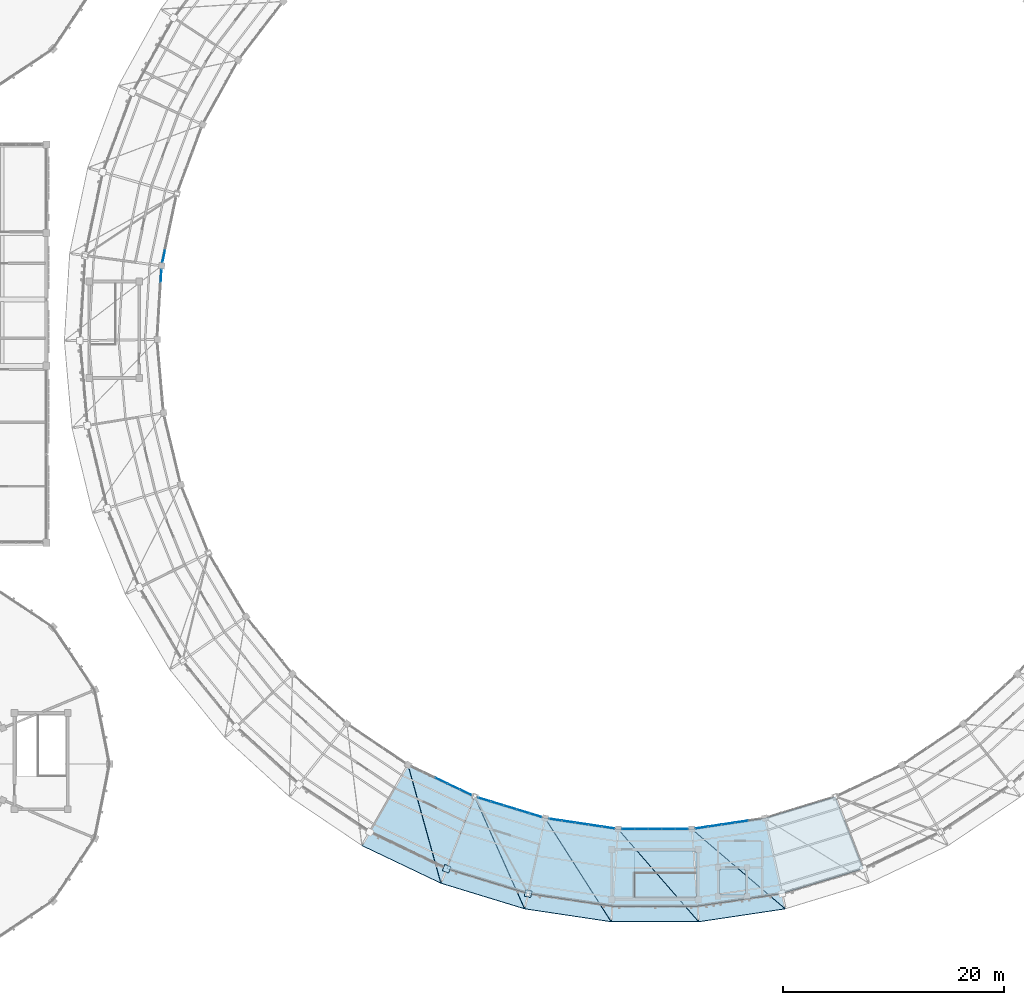
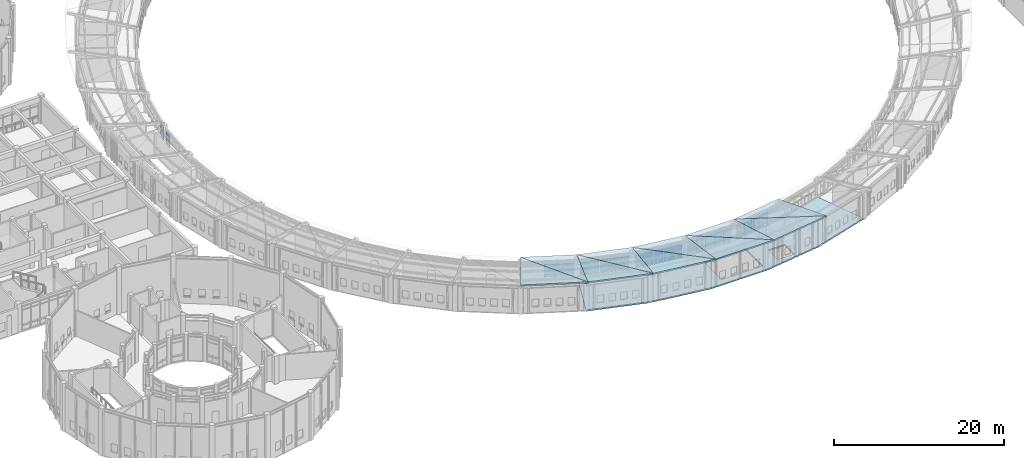
# One storey, part 103 of 149: 50 plates, 11 slabs, 7 elements without a shape of their own.
"""IFC4 building model written with IfcOpenShell, lengths in metres."""

from ifc_helpers import new_model, si_unit, direction, frame, origin, origin_2d, place, context, subcontext, project, spatial, polyline, rectangle, outline, extrude, material, layer, layer_set, type_object, element, aggregate, save


model = new_model("IFC4")

# Units and contexts
model_context = context("Model", 3, precision=1e-05, world=origin(), true_north=direction((0.0, 1.0)))
body_context = subcontext(model_context, "Body", "Model", "MODEL_VIEW")
ifc_project = project(units=[si_unit("LENGTHUNIT", "METRE"), si_unit("AREAUNIT", "SQUARE_METRE"), si_unit("VOLUMEUNIT", "CUBIC_METRE"), si_unit("PLANEANGLEUNIT", "RADIAN"), si_unit("MASSUNIT", "GRAM", prefix="KILO")], contexts=[model_context])

# Site, building, storey
site_placement = place(None, origin())
site = spatial("IfcSite", under=ifc_project, at=site_placement, CompositionType="ELEMENT")
building_placement = place(site_placement, origin())
building = spatial("IfcBuilding", under=site, at=building_placement, Name="Celadon Cloister-Ring School", CompositionType="ELEMENT")
storey_placement = place(building_placement, frame((0.0, 0.0, 12.5)))
storey = spatial("IfcBuildingStorey", under=building, at=storey_placement, Name="L03", CompositionType="ELEMENT", Elevation=12.5)

# Curtain wall, plates
ifc_material_1 = material(Name="Aluminium EN AW-6063 T6", Category="aluminium")
curtain_wall_type = type_object("IfcCurtainWallType", Name="CW-02", PredefinedType="USERDEFINED", material=ifc_material_1)
curtain_wall_1_placement = place(storey_placement, origin())
curtain_wall_1 = element("IfcCurtainWall", 1, at=curtain_wall_1_placement, inside=storey, type_object=curtain_wall_type, Name="Curtain Wall 0049", ObjectType="CURTAIN WALL", PredefinedType="USERDEFINED")
ifc_material_2 = material(Name="Tempered laminated insulating glass", Category="glass")
ifc_layer_1 = layer(ifc_material_2, 0.035888671875)
ifc_layer_set_1 = layer_set([ifc_layer_1], Name="Tempered laminated insulating glass")
plate_type_1 = type_object("IfcPlateType", Name="CPN-03", PredefinedType="CURTAIN_PANEL", material=ifc_layer_set_1)
plate_1_placement = place(storey_placement, frame((42.5947265625, 65.92236328125, 0.074951171875), z_axis=(0.0, 0.0, 1.0), x_axis=(-0.207058016061, -0.978328665626, 0.0)))
plate_1 = element("IfcPlate", 2, at=plate_1_placement, type_object=plate_type_1, Name="CW-02 panel 5.1", PredefinedType="CURTAIN_PANEL", context=body_context, shape_type="SweptSolid", body=[
    extrude(rectangle(XDim=1.101806640625, YDim=0.035888671875, at=origin_2d()), origin(), (0.0, 0.0, 1.0), 0.8974609375),
])
plate_2_placement = place(storey_placement, frame((42.5947265625, 65.92236328125, 1.047607421875), z_axis=(0.0, 0.0, 1.0), x_axis=(-0.207058016061, -0.978328665626, 0.0)))
plate_2 = element("IfcPlate", 3, at=plate_2_placement, type_object=plate_type_1, Name="CW-02 panel 5.2", PredefinedType="CURTAIN_PANEL", context=body_context, shape_type="SweptSolid", body=[
    extrude(rectangle(XDim=1.101806640625, YDim=0.035888671875, at=origin_2d()), origin(), (0.0, 0.0, 1.0), 0.8974609375),
])
aggregate(curtain_wall_1, [plate_1, plate_2])

curtain_wall_2_placement = place(storey_placement, origin())
curtain_wall_2 = element("IfcCurtainWall", 4, at=curtain_wall_2_placement, inside=storey, type_object=curtain_wall_type, Name="Curtain Wall 0050", ObjectType="CURTAIN WALL", PredefinedType="USERDEFINED")
plate_3_placement = place(storey_placement, frame((42.35107421875, 64.124267578125, 0.074951171875), z_axis=(0.0, 0.0, 1.0), x_axis=(-0.060238065975, -0.998184038846, 0.0)))
plate_3 = element("IfcPlate", 5, at=plate_3_placement, type_object=plate_type_1, Name="CW-02 panel 1.1", PredefinedType="CURTAIN_PANEL", context=body_context, shape_type="SweptSolid", body=[
    extrude(rectangle(XDim=1.101806640625, YDim=0.035888671875, at=origin_2d()), origin(), (0.0, 0.0, 1.0), 0.8974609375),
])
plate_4_placement = place(storey_placement, frame((42.35107421875, 64.124267578125, 1.047607421875), z_axis=(0.0, 0.0, 1.0), x_axis=(-0.060238065975, -0.998184038846, 0.0)))
plate_4 = element("IfcPlate", 6, at=plate_4_placement, type_object=plate_type_1, Name="CW-02 panel 1.2", PredefinedType="CURTAIN_PANEL", context=body_context, shape_type="SweptSolid", body=[
    extrude(rectangle(XDim=1.101806640625, YDim=0.035888671875, at=origin_2d()), origin(), (0.0, 0.0, 1.0), 0.8974609375),
])
aggregate(curtain_wall_2, [plate_3, plate_4])

curtain_wall_3_placement = place(storey_placement, origin())
curtain_wall_3 = element("IfcCurtainWall", 7, at=curtain_wall_3_placement, inside=storey, type_object=curtain_wall_type, Name="Curtain Wall 0058", ObjectType="CURTAIN WALL", PredefinedType="USERDEFINED")
plate_5_placement = place(storey_placement, frame((67.68896484375, 18.491455078125, 0.074951171875), z_axis=(0.0, 0.0, 1.0), x_axis=(0.902651624507, -0.430371984189, 0.0)))
plate_5 = element("IfcPlate", 8, at=plate_5_placement, type_object=plate_type_1, Name="CW-02 panel 3.1", PredefinedType="CURTAIN_PANEL", context=body_context, shape_type="SweptSolid", body=[
    extrude(rectangle(XDim=1.141845703125, YDim=0.035888671875, at=origin_2d()), origin(), (0.0, 0.0, 1.0), 0.8974609375),
])
plate_6_placement = place(storey_placement, frame((67.68896484375, 18.491455078125, 1.047607421875), z_axis=(0.0, 0.0, 1.0), x_axis=(0.902651624507, -0.430371984189, 0.0)))
plate_6 = element("IfcPlate", 9, at=plate_6_placement, type_object=plate_type_1, Name="CW-02 panel 3.2", PredefinedType="CURTAIN_PANEL", context=body_context, shape_type="SweptSolid", body=[
    extrude(rectangle(XDim=1.141845703125, YDim=0.035888671875, at=origin_2d()), origin(), (0.0, 0.0, 1.0), 0.8974609375),
])
plate_7_placement = place(storey_placement, frame((68.791748046875, 17.9658203125, 0.074951171875), z_axis=(0.0, 0.0, 1.0), x_axis=(0.902651624507, -0.430371984189, 0.0)))
plate_7 = element("IfcPlate", 10, at=plate_7_placement, type_object=plate_type_1, Name="CW-02 panel 4.1", PredefinedType="CURTAIN_PANEL", context=body_context, shape_type="SweptSolid", body=[
    extrude(rectangle(XDim=1.141845703125, YDim=0.035888671875, at=origin_2d()), origin(), (0.0, 0.0, 1.0), 0.8974609375),
])
plate_8_placement = place(storey_placement, frame((68.791748046875, 17.9658203125, 1.047607421875), z_axis=(0.0, 0.0, 1.0), x_axis=(0.902651624507, -0.430371984189, 0.0)))
plate_8 = element("IfcPlate", 11, at=plate_8_placement, type_object=plate_type_1, Name="CW-02 panel 4.2", PredefinedType="CURTAIN_PANEL", context=body_context, shape_type="SweptSolid", body=[
    extrude(rectangle(XDim=1.141845703125, YDim=0.035888671875, at=origin_2d()), origin(), (0.0, 0.0, 1.0), 0.8974609375),
])
plate_9_placement = place(storey_placement, frame((69.87646484375, 17.448486328125, 0.074951171875), z_axis=(0.0, 0.0, 1.0), x_axis=(0.902651624507, -0.430371984189, 0.0)))
plate_9 = element("IfcPlate", 12, at=plate_9_placement, type_object=plate_type_1, Name="CW-02 panel 5.1", PredefinedType="CURTAIN_PANEL", context=body_context, shape_type="SweptSolid", body=[
    extrude(rectangle(XDim=1.101806640625, YDim=0.035888671875, at=origin_2d()), origin(), (0.0, 0.0, 1.0), 0.8974609375),
])
plate_10_placement = place(storey_placement, frame((69.87646484375, 17.448486328125, 1.047607421875), z_axis=(0.0, 0.0, 1.0), x_axis=(0.902651624507, -0.430371984189, 0.0)))
plate_10 = element("IfcPlate", 13, at=plate_10_placement, type_object=plate_type_1, Name="CW-02 panel 5.2", PredefinedType="CURTAIN_PANEL", context=body_context, shape_type="SweptSolid", body=[
    extrude(rectangle(XDim=1.101806640625, YDim=0.035888671875, at=origin_2d()), origin(), (0.0, 0.0, 1.0), 0.8974609375),
])
aggregate(curtain_wall_3, [plate_5, plate_6, plate_7, plate_8, plate_9, plate_10])

curtain_wall_4_placement = place(storey_placement, origin())
curtain_wall_4 = element("IfcCurtainWall", 14, at=curtain_wall_4_placement, inside=storey, type_object=curtain_wall_type, Name="Curtain Wall 0059", ObjectType="CURTAIN WALL", PredefinedType="USERDEFINED")
plate_11_placement = place(storey_placement, frame((71.568115234375, 16.79150390625, 0.074951171875), z_axis=(0.0, 0.0, 1.0), x_axis=(0.956294360146, -0.292405705746, 0.0)))
plate_11 = element("IfcPlate", 15, at=plate_11_placement, type_object=plate_type_1, Name="CW-02 panel 1.1", PredefinedType="CURTAIN_PANEL", context=body_context, shape_type="SweptSolid", body=[
    extrude(rectangle(XDim=1.1015625, YDim=0.035888671875, at=origin_2d()), origin(), (0.0, 0.0, 1.0), 0.8974609375),
])
plate_12_placement = place(storey_placement, frame((71.568115234375, 16.79150390625, 1.047607421875), z_axis=(0.0, 0.0, 1.0), x_axis=(0.956294360146, -0.292405705746, 0.0)))
plate_12 = element("IfcPlate", 16, at=plate_12_placement, type_object=plate_type_1, Name="CW-02 panel 1.2", PredefinedType="CURTAIN_PANEL", context=body_context, shape_type="SweptSolid", body=[
    extrude(rectangle(XDim=1.1015625, YDim=0.035888671875, at=origin_2d()), origin(), (0.0, 0.0, 1.0), 0.8974609375),
])
plate_13_placement = place(storey_placement, frame((72.71728515625, 16.440185546875, 0.074951171875), z_axis=(0.0, 0.0, 1.0), x_axis=(0.956294360146, -0.292405705746, 0.0)))
plate_13 = element("IfcPlate", 17, at=plate_13_placement, type_object=plate_type_1, Name="CW-02 panel 2.1", PredefinedType="CURTAIN_PANEL", context=body_context, shape_type="SweptSolid", body=[
    extrude(rectangle(XDim=1.1416015625, YDim=0.035888671875, at=origin_2d()), origin(), (0.0, 0.0, 1.0), 0.8974609375),
])
plate_14_placement = place(storey_placement, frame((72.71728515625, 16.440185546875, 1.047607421875), z_axis=(0.0, 0.0, 1.0), x_axis=(0.956294360146, -0.292405705746, 0.0)))
plate_14 = element("IfcPlate", 18, at=plate_14_placement, type_object=plate_type_1, Name="CW-02 panel 2.2", PredefinedType="CURTAIN_PANEL", context=body_context, shape_type="SweptSolid", body=[
    extrude(rectangle(XDim=1.1416015625, YDim=0.035888671875, at=origin_2d()), origin(), (0.0, 0.0, 1.0), 0.8974609375),
])
plate_15_placement = place(storey_placement, frame((73.885498046875, 16.0830078125, 0.074951171875), z_axis=(0.0, 0.0, 1.0), x_axis=(0.956294360146, -0.292405705746, 0.0)))
plate_15 = element("IfcPlate", 19, at=plate_15_placement, type_object=plate_type_1, Name="CW-02 panel 3.1", PredefinedType="CURTAIN_PANEL", context=body_context, shape_type="SweptSolid", body=[
    extrude(rectangle(XDim=1.1416015625, YDim=0.035888671875, at=origin_2d()), origin(), (0.0, 0.0, 1.0), 0.8974609375),
])
plate_16_placement = place(storey_placement, frame((73.885498046875, 16.0830078125, 1.047607421875), z_axis=(0.0, 0.0, 1.0), x_axis=(0.956294360146, -0.292405705746, 0.0)))
plate_16 = element("IfcPlate", 20, at=plate_16_placement, type_object=plate_type_1, Name="CW-02 panel 3.2", PredefinedType="CURTAIN_PANEL", context=body_context, shape_type="SweptSolid", body=[
    extrude(rectangle(XDim=1.1416015625, YDim=0.035888671875, at=origin_2d()), origin(), (0.0, 0.0, 1.0), 0.8974609375),
])
plate_17_placement = place(storey_placement, frame((75.0537109375, 15.725830078125, 0.074951171875), z_axis=(0.0, 0.0, 1.0), x_axis=(0.956294360146, -0.292405705746, 0.0)))
plate_17 = element("IfcPlate", 21, at=plate_17_placement, type_object=plate_type_1, Name="CW-02 panel 4.1", PredefinedType="CURTAIN_PANEL", context=body_context, shape_type="SweptSolid", body=[
    extrude(rectangle(XDim=1.1416015625, YDim=0.035888671875, at=origin_2d()), origin(), (0.0, 0.0, 1.0), 0.8974609375),
])
plate_18_placement = place(storey_placement, frame((75.0537109375, 15.725830078125, 1.047607421875), z_axis=(0.0, 0.0, 1.0), x_axis=(0.956294360146, -0.292405705746, 0.0)))
plate_18 = element("IfcPlate", 22, at=plate_18_placement, type_object=plate_type_1, Name="CW-02 panel 4.2", PredefinedType="CURTAIN_PANEL", context=body_context, shape_type="SweptSolid", body=[
    extrude(rectangle(XDim=1.1416015625, YDim=0.035888671875, at=origin_2d()), origin(), (0.0, 0.0, 1.0), 0.8974609375),
])
plate_19_placement = place(storey_placement, frame((76.202880859375, 15.37451171875, 0.074951171875), z_axis=(0.0, 0.0, 1.0), x_axis=(0.956294360146, -0.292405705746, 0.0)))
plate_19 = element("IfcPlate", 23, at=plate_19_placement, type_object=plate_type_1, Name="CW-02 panel 5.1", PredefinedType="CURTAIN_PANEL", context=body_context, shape_type="SweptSolid", body=[
    extrude(rectangle(XDim=1.1015625, YDim=0.035888671875, at=origin_2d()), origin(), (0.0, 0.0, 1.0), 0.8974609375),
])
plate_20_placement = place(storey_placement, frame((76.202880859375, 15.37451171875, 1.047607421875), z_axis=(0.0, 0.0, 1.0), x_axis=(0.956294360146, -0.292405705746, 0.0)))
plate_20 = element("IfcPlate", 24, at=plate_20_placement, type_object=plate_type_1, Name="CW-02 panel 5.2", PredefinedType="CURTAIN_PANEL", context=body_context, shape_type="SweptSolid", body=[
    extrude(rectangle(XDim=1.1015625, YDim=0.035888671875, at=origin_2d()), origin(), (0.0, 0.0, 1.0), 0.8974609375),
])
aggregate(curtain_wall_4, [plate_11, plate_12, plate_13, plate_14, plate_15, plate_16, plate_17, plate_18, plate_19, plate_20])

curtain_wall_5_placement = place(storey_placement, origin())
curtain_wall_5 = element("IfcCurtainWall", 25, at=curtain_wall_5_placement, inside=storey, type_object=curtain_wall_type, Name="Curtain Wall 0060", ObjectType="CURTAIN WALL", PredefinedType="USERDEFINED")
plate_21_placement = place(storey_placement, frame((77.972900390625, 14.974853515625, 0.074951171875), z_axis=(0.0, 0.0, 1.0), x_axis=(0.989015455369, -0.147812141048, 0.0)))
plate_21 = element("IfcPlate", 26, at=plate_21_placement, type_object=plate_type_1, Name="CW-02 panel 1.1", PredefinedType="CURTAIN_PANEL", context=body_context, shape_type="SweptSolid", body=[
    extrude(rectangle(XDim=1.101806640625, YDim=0.035888671875, at=origin_2d()), origin(), (0.0, 0.0, 1.0), 0.8974609375),
])
plate_22_placement = place(storey_placement, frame((77.972900390625, 14.974853515625, 1.047607421875), z_axis=(0.0, 0.0, 1.0), x_axis=(0.989015455369, -0.147812141048, 0.0)))
plate_22 = element("IfcPlate", 27, at=plate_22_placement, type_object=plate_type_1, Name="CW-02 panel 1.2", PredefinedType="CURTAIN_PANEL", context=body_context, shape_type="SweptSolid", body=[
    extrude(rectangle(XDim=1.101806640625, YDim=0.035888671875, at=origin_2d()), origin(), (0.0, 0.0, 1.0), 0.8974609375),
])
plate_23_placement = place(storey_placement, frame((79.16162109375, 14.797119140625, 0.074951171875), z_axis=(0.0, 0.0, 1.0), x_axis=(0.989015455369, -0.147812141048, 0.0)))
plate_23 = element("IfcPlate", 28, at=plate_23_placement, type_object=plate_type_1, Name="CW-02 panel 2.1", PredefinedType="CURTAIN_PANEL", context=body_context, shape_type="SweptSolid", body=[
    extrude(rectangle(XDim=1.141845703125, YDim=0.035888671875, at=origin_2d()), origin(), (0.0, 0.0, 1.0), 0.8974609375),
])
plate_24_placement = place(storey_placement, frame((79.16162109375, 14.797119140625, 1.047607421875), z_axis=(0.0, 0.0, 1.0), x_axis=(0.989015455369, -0.147812141048, 0.0)))
plate_24 = element("IfcPlate", 29, at=plate_24_placement, type_object=plate_type_1, Name="CW-02 panel 2.2", PredefinedType="CURTAIN_PANEL", context=body_context, shape_type="SweptSolid", body=[
    extrude(rectangle(XDim=1.141845703125, YDim=0.035888671875, at=origin_2d()), origin(), (0.0, 0.0, 1.0), 0.8974609375),
])
plate_25_placement = place(storey_placement, frame((80.3701171875, 14.616455078125, 0.074951171875), z_axis=(0.0, 0.0, 1.0), x_axis=(0.989015455369, -0.147812141048, 0.0)))
plate_25 = element("IfcPlate", 30, at=plate_25_placement, type_object=plate_type_1, Name="CW-02 panel 3.1", PredefinedType="CURTAIN_PANEL", context=body_context, shape_type="SweptSolid", body=[
    extrude(rectangle(XDim=1.141845703125, YDim=0.035888671875, at=origin_2d()), origin(), (0.0, 0.0, 1.0), 0.8974609375),
])
plate_26_placement = place(storey_placement, frame((80.3701171875, 14.616455078125, 1.047607421875), z_axis=(0.0, 0.0, 1.0), x_axis=(0.989015455369, -0.147812141048, 0.0)))
plate_26 = element("IfcPlate", 31, at=plate_26_placement, type_object=plate_type_1, Name="CW-02 panel 3.2", PredefinedType="CURTAIN_PANEL", context=body_context, shape_type="SweptSolid", body=[
    extrude(rectangle(XDim=1.141845703125, YDim=0.035888671875, at=origin_2d()), origin(), (0.0, 0.0, 1.0), 0.8974609375),
])
plate_27_placement = place(storey_placement, frame((81.578369140625, 14.435791015625, 0.074951171875), z_axis=(0.0, 0.0, 1.0), x_axis=(0.989015455369, -0.147812141048, 0.0)))
plate_27 = element("IfcPlate", 32, at=plate_27_placement, type_object=plate_type_1, Name="CW-02 panel 4.1", PredefinedType="CURTAIN_PANEL", context=body_context, shape_type="SweptSolid", body=[
    extrude(rectangle(XDim=1.141845703125, YDim=0.035888671875, at=origin_2d()), origin(), (0.0, 0.0, 1.0), 0.8974609375),
])
plate_28_placement = place(storey_placement, frame((81.578369140625, 14.435791015625, 1.047607421875), z_axis=(0.0, 0.0, 1.0), x_axis=(0.989015455369, -0.147812141048, 0.0)))
plate_28 = element("IfcPlate", 33, at=plate_28_placement, type_object=plate_type_1, Name="CW-02 panel 4.2", PredefinedType="CURTAIN_PANEL", context=body_context, shape_type="SweptSolid", body=[
    extrude(rectangle(XDim=1.141845703125, YDim=0.035888671875, at=origin_2d()), origin(), (0.0, 0.0, 1.0), 0.8974609375),
])
plate_29_placement = place(storey_placement, frame((82.76708984375, 14.25830078125, 0.074951171875), z_axis=(0.0, 0.0, 1.0), x_axis=(0.989015455369, -0.147812141048, 0.0)))
plate_29 = element("IfcPlate", 34, at=plate_29_placement, type_object=plate_type_1, Name="CW-02 panel 5.1", PredefinedType="CURTAIN_PANEL", context=body_context, shape_type="SweptSolid", body=[
    extrude(rectangle(XDim=1.101806640625, YDim=0.035888671875, at=origin_2d()), origin(), (0.0, 0.0, 1.0), 0.8974609375),
])
plate_30_placement = place(storey_placement, frame((82.76708984375, 14.25830078125, 1.047607421875), z_axis=(0.0, 0.0, 1.0), x_axis=(0.989015455369, -0.147812141048, 0.0)))
plate_30 = element("IfcPlate", 35, at=plate_30_placement, type_object=plate_type_1, Name="CW-02 panel 5.2", PredefinedType="CURTAIN_PANEL", context=body_context, shape_type="SweptSolid", body=[
    extrude(rectangle(XDim=1.101806640625, YDim=0.035888671875, at=origin_2d()), origin(), (0.0, 0.0, 1.0), 0.8974609375),
])
aggregate(curtain_wall_5, [plate_21, plate_22, plate_23, plate_24, plate_25, plate_26, plate_27, plate_28, plate_29, plate_30])

curtain_wall_6_placement = place(storey_placement, origin())
curtain_wall_6 = element("IfcCurtainWall", 36, at=curtain_wall_6_placement, inside=storey, type_object=curtain_wall_type, Name="Curtain Wall 0061", ObjectType="CURTAIN WALL", PredefinedType="USERDEFINED")
plate_31_placement = place(storey_placement, frame((84.576904296875, 14.1240234375, 0.074951171875), z_axis=(0.0, 0.0, 1.0), x_axis=(1.0, 0.0, 0.0)))
plate_31 = element("IfcPlate", 37, at=plate_31_placement, type_object=plate_type_1, Name="CW-02 panel 1.1", PredefinedType="CURTAIN_PANEL", context=body_context, shape_type="SweptSolid", body=[
    extrude(rectangle(XDim=1.1015625, YDim=0.035888671875, at=origin_2d()), origin(), (0.0, 0.0, 1.0), 0.8974609375),
])
plate_32_placement = place(storey_placement, frame((84.576904296875, 14.1240234375, 1.047607421875), z_axis=(0.0, 0.0, 1.0), x_axis=(1.0, 0.0, 0.0)))
plate_32 = element("IfcPlate", 38, at=plate_32_placement, type_object=plate_type_1, Name="CW-02 panel 1.2", PredefinedType="CURTAIN_PANEL", context=body_context, shape_type="SweptSolid", body=[
    extrude(rectangle(XDim=1.1015625, YDim=0.035888671875, at=origin_2d()), origin(), (0.0, 0.0, 1.0), 0.8974609375),
])
plate_33_placement = place(storey_placement, frame((85.7783203125, 14.1240234375, 0.074951171875), z_axis=(0.0, 0.0, 1.0), x_axis=(1.0, 0.0, 0.0)))
plate_33 = element("IfcPlate", 39, at=plate_33_placement, type_object=plate_type_1, Name="CW-02 panel 2.1", PredefinedType="CURTAIN_PANEL", context=body_context, shape_type="SweptSolid", body=[
    extrude(rectangle(XDim=1.1416015625, YDim=0.035888671875, at=origin_2d()), origin(), (0.0, 0.0, 1.0), 0.8974609375),
])
plate_34_placement = place(storey_placement, frame((85.7783203125, 14.1240234375, 1.047607421875), z_axis=(0.0, 0.0, 1.0), x_axis=(1.0, 0.0, 0.0)))
plate_34 = element("IfcPlate", 40, at=plate_34_placement, type_object=plate_type_1, Name="CW-02 panel 2.2", PredefinedType="CURTAIN_PANEL", context=body_context, shape_type="SweptSolid", body=[
    extrude(rectangle(XDim=1.1416015625, YDim=0.035888671875, at=origin_2d()), origin(), (0.0, 0.0, 1.0), 0.8974609375),
])
plate_35_placement = place(storey_placement, frame((87.0, 14.1240234375, 0.074951171875), z_axis=(0.0, 0.0, 1.0), x_axis=(1.0, 0.0, 0.0)))
plate_35 = element("IfcPlate", 41, at=plate_35_placement, type_object=plate_type_1, Name="CW-02 panel 3.1", PredefinedType="CURTAIN_PANEL", context=body_context, shape_type="SweptSolid", body=[
    extrude(rectangle(XDim=1.1416015625, YDim=0.035888671875, at=origin_2d()), origin(), (0.0, 0.0, 1.0), 0.8974609375),
])
plate_36_placement = place(storey_placement, frame((87.0, 14.1240234375, 1.047607421875), z_axis=(0.0, 0.0, 1.0), x_axis=(1.0, 0.0, 0.0)))
plate_36 = element("IfcPlate", 42, at=plate_36_placement, type_object=plate_type_1, Name="CW-02 panel 3.2", PredefinedType="CURTAIN_PANEL", context=body_context, shape_type="SweptSolid", body=[
    extrude(rectangle(XDim=1.1416015625, YDim=0.035888671875, at=origin_2d()), origin(), (0.0, 0.0, 1.0), 0.8974609375),
])
plate_37_placement = place(storey_placement, frame((88.2216796875, 14.1240234375, 0.074951171875), z_axis=(0.0, 0.0, 1.0), x_axis=(1.0, 0.0, 0.0)))
plate_37 = element("IfcPlate", 43, at=plate_37_placement, type_object=plate_type_1, Name="CW-02 panel 4.1", PredefinedType="CURTAIN_PANEL", context=body_context, shape_type="SweptSolid", body=[
    extrude(rectangle(XDim=1.1416015625, YDim=0.035888671875, at=origin_2d()), origin(), (0.0, 0.0, 1.0), 0.8974609375),
])
plate_38_placement = place(storey_placement, frame((88.2216796875, 14.1240234375, 1.047607421875), z_axis=(0.0, 0.0, 1.0), x_axis=(1.0, 0.0, 0.0)))
plate_38 = element("IfcPlate", 44, at=plate_38_placement, type_object=plate_type_1, Name="CW-02 panel 4.2", PredefinedType="CURTAIN_PANEL", context=body_context, shape_type="SweptSolid", body=[
    extrude(rectangle(XDim=1.1416015625, YDim=0.035888671875, at=origin_2d()), origin(), (0.0, 0.0, 1.0), 0.8974609375),
])
plate_39_placement = place(storey_placement, frame((89.423095703125, 14.1240234375, 0.074951171875), z_axis=(0.0, 0.0, 1.0), x_axis=(1.0, 0.0, 0.0)))
plate_39 = element("IfcPlate", 45, at=plate_39_placement, type_object=plate_type_1, Name="CW-02 panel 5.1", PredefinedType="CURTAIN_PANEL", context=body_context, shape_type="SweptSolid", body=[
    extrude(rectangle(XDim=1.1015625, YDim=0.035888671875, at=origin_2d()), origin(), (0.0, 0.0, 1.0), 0.8974609375),
])
plate_40_placement = place(storey_placement, frame((89.423095703125, 14.1240234375, 1.047607421875), z_axis=(0.0, 0.0, 1.0), x_axis=(1.0, 0.0, 0.0)))
plate_40 = element("IfcPlate", 46, at=plate_40_placement, type_object=plate_type_1, Name="CW-02 panel 5.2", PredefinedType="CURTAIN_PANEL", context=body_context, shape_type="SweptSolid", body=[
    extrude(rectangle(XDim=1.1015625, YDim=0.035888671875, at=origin_2d()), origin(), (0.0, 0.0, 1.0), 0.8974609375),
])
aggregate(curtain_wall_6, [plate_31, plate_32, plate_33, plate_34, plate_35, plate_36, plate_37, plate_38, plate_39, plate_40])

curtain_wall_7_placement = place(storey_placement, origin())
curtain_wall_7 = element("IfcCurtainWall", 47, at=curtain_wall_7_placement, inside=storey, type_object=curtain_wall_type, Name="Curtain Wall 0062", ObjectType="CURTAIN WALL", PredefinedType="USERDEFINED")
plate_41_placement = place(storey_placement, frame((91.23291015625, 14.25830078125, 0.074951171875), z_axis=(0.0, 0.0, 1.0), x_axis=(0.989015455369, 0.147812141048, 0.0)))
plate_41 = element("IfcPlate", 48, at=plate_41_placement, type_object=plate_type_1, Name="CW-02 panel 1.1", PredefinedType="CURTAIN_PANEL", context=body_context, shape_type="SweptSolid", body=[
    extrude(rectangle(XDim=1.101806640625, YDim=0.035888671875, at=origin_2d()), origin(), (0.0, 0.0, 1.0), 0.8974609375),
])
plate_42_placement = place(storey_placement, frame((91.23291015625, 14.25830078125, 1.047607421875), z_axis=(0.0, 0.0, 1.0), x_axis=(0.989015455369, 0.147812141048, 0.0)))
plate_42 = element("IfcPlate", 49, at=plate_42_placement, type_object=plate_type_1, Name="CW-02 panel 1.2", PredefinedType="CURTAIN_PANEL", context=body_context, shape_type="SweptSolid", body=[
    extrude(rectangle(XDim=1.101806640625, YDim=0.035888671875, at=origin_2d()), origin(), (0.0, 0.0, 1.0), 0.8974609375),
])
plate_43_placement = place(storey_placement, frame((92.421630859375, 14.435791015625, 0.074951171875), z_axis=(0.0, 0.0, 1.0), x_axis=(0.989015455369, 0.147812141048, 0.0)))
plate_43 = element("IfcPlate", 50, at=plate_43_placement, type_object=plate_type_1, Name="CW-02 panel 2.1", PredefinedType="CURTAIN_PANEL", context=body_context, shape_type="SweptSolid", body=[
    extrude(rectangle(XDim=1.141845703125, YDim=0.035888671875, at=origin_2d()), origin(), (0.0, 0.0, 1.0), 0.8974609375),
])
plate_44_placement = place(storey_placement, frame((92.421630859375, 14.435791015625, 1.047607421875), z_axis=(0.0, 0.0, 1.0), x_axis=(0.989015455369, 0.147812141048, 0.0)))
plate_44 = element("IfcPlate", 51, at=plate_44_placement, type_object=plate_type_1, Name="CW-02 panel 2.2", PredefinedType="CURTAIN_PANEL", context=body_context, shape_type="SweptSolid", body=[
    extrude(rectangle(XDim=1.141845703125, YDim=0.035888671875, at=origin_2d()), origin(), (0.0, 0.0, 1.0), 0.8974609375),
])
plate_45_placement = place(storey_placement, frame((93.6298828125, 14.616455078125, 0.074951171875), z_axis=(0.0, 0.0, 1.0), x_axis=(0.989015455369, 0.147812141048, 0.0)))
plate_45 = element("IfcPlate", 52, at=plate_45_placement, type_object=plate_type_1, Name="CW-02 panel 3.1", PredefinedType="CURTAIN_PANEL", context=body_context, shape_type="SweptSolid", body=[
    extrude(rectangle(XDim=1.141845703125, YDim=0.035888671875, at=origin_2d()), origin(), (0.0, 0.0, 1.0), 0.8974609375),
])
plate_46_placement = place(storey_placement, frame((93.6298828125, 14.616455078125, 1.047607421875), z_axis=(0.0, 0.0, 1.0), x_axis=(0.989015455369, 0.147812141048, 0.0)))
plate_46 = element("IfcPlate", 53, at=plate_46_placement, type_object=plate_type_1, Name="CW-02 panel 3.2", PredefinedType="CURTAIN_PANEL", context=body_context, shape_type="SweptSolid", body=[
    extrude(rectangle(XDim=1.141845703125, YDim=0.035888671875, at=origin_2d()), origin(), (0.0, 0.0, 1.0), 0.8974609375),
])
plate_47_placement = place(storey_placement, frame((94.83837890625, 14.797119140625, 0.074951171875), z_axis=(0.0, 0.0, 1.0), x_axis=(0.989015455369, 0.147812141048, 0.0)))
plate_47 = element("IfcPlate", 54, at=plate_47_placement, type_object=plate_type_1, Name="CW-02 panel 4.1", PredefinedType="CURTAIN_PANEL", context=body_context, shape_type="SweptSolid", body=[
    extrude(rectangle(XDim=1.141845703125, YDim=0.035888671875, at=origin_2d()), origin(), (0.0, 0.0, 1.0), 0.8974609375),
])
plate_48_placement = place(storey_placement, frame((94.83837890625, 14.797119140625, 1.047607421875), z_axis=(0.0, 0.0, 1.0), x_axis=(0.989015455369, 0.147812141048, 0.0)))
plate_48 = element("IfcPlate", 55, at=plate_48_placement, type_object=plate_type_1, Name="CW-02 panel 4.2", PredefinedType="CURTAIN_PANEL", context=body_context, shape_type="SweptSolid", body=[
    extrude(rectangle(XDim=1.141845703125, YDim=0.035888671875, at=origin_2d()), origin(), (0.0, 0.0, 1.0), 0.8974609375),
])
aggregate(curtain_wall_7, [plate_41, plate_42, plate_43, plate_44, plate_45, plate_46, plate_47, plate_48])

# Plates
ifc_material_3 = material(Name="Structural steel S355JR", Category="steel")
ifc_layer_2 = layer(ifc_material_3, 0.02001953125)
ifc_layer_set_2 = layer_set([ifc_layer_2], Name="Structural steel S355JR")
plate_type_2 = type_object("IfcPlateType", Name="PT-01", PredefinedType="SHEET", material=ifc_layer_set_2)
for number, where, z_axis, x_axis, name in (
    (56, (68.162109375, 10.531982421875, 4.0390625), (0.0, 0.0, 1.0), (-0.362275366705, -0.932071112458, 0.0), "Gusset Plate 0020"),
    (57, (75.529052734375, 8.281005859375, 4.041015625), (0.0, 0.0, 1.0), (-0.220595296203, -0.975365426542, 0.0), "Gusset Plate 0021"),
):
    element("IfcPlate", number, at=place(storey_placement, frame(where, z_axis=z_axis, x_axis=x_axis)), inside=storey, type_object=plate_type_2, Name=name, PredefinedType="SHEET", context=body_context, shape_type="SweptSolid", body=[
        extrude(rectangle(XDim=0.60009765625, YDim=0.60009765625, at=origin_2d()), origin(), (0.0, 0.0, 1.0), 0.02001953125),
    ])

# Slabs
ifc_material_4 = material(Name="Concrete C35/45", Category="concrete")
ifc_layer_3 = layer(ifc_material_4, 0.199951171875)
ifc_layer_set_3 = layer_set([ifc_layer_3], Name="Concrete C35/45")
slab_type_1 = type_object("IfcSlabType", Name="SL-FL1", PredefinedType="FLOOR", material=ifc_layer_set_3)
slab_1_placement = place(storey_placement, frame((0.0, 0.0, -0.199951171875)))
element("IfcSlab", 58, at=slab_1_placement, inside=storey, type_object=slab_type_1, Name="Ring L03 Sector 0025", PredefinedType="FLOOR", context=body_context, shape_type="SweptSolid", body=[
    extrude(outline(polyline([(70.697998046875, 17.056884765625), (77.072998046875, 15.10888671875), (83.6669921875, 14.1240234375), (90.3330078125, 14.1240234375), (96.927001953125, 15.10888671875), (103.302001953125, 17.056884765625), (105.837890625, 10.531982421875), (98.470947265625, 8.281005859375), (90.85205078125, 7.14306640625), (83.14794921875, 7.14306640625), (75.529052734375, 8.281005859375), (68.162109375, 10.531982421875), (70.697998046875, 17.056884765625)]), holes=[polyline([(95.1201171875, 8.22998046875), (95.1201171875, 10.469970703125), (92.8798828125, 10.469970703125), (92.8798828125, 8.22998046875), (95.1201171875, 8.22998046875)]), polyline([(90.679931640625, 7.969970703125), (90.679931640625, 12.050048828125), (85.139892578125, 12.050048828125), (85.139892578125, 7.969970703125), (90.679931640625, 7.969970703125)])]), origin(), (0.0, 0.0, 1.0), 0.199951171875),
])
ifc_material_5 = material(Name="Concrete C35/45", Category="concrete")
ifc_layer_4 = layer(ifc_material_5, 0.179931640625)
ifc_layer_set_4 = layer_set([ifc_layer_4], Name="Concrete C35/45")
slab_type_2 = type_object("IfcSlabType", Name="SL-RF1", PredefinedType="ROOF", material=ifc_layer_set_4)
slab_2_placement = place(storey_placement, frame((64.679931640625, 19.926025390625, 3.10009765625), z_axis=(0.095193464829, 0.199642134241, 0.975233932187), x_axis=(-0.483830945661, -0.846902585691, 0.220598337189)))
element("IfcSlab", 59, at=slab_2_placement, inside=storey, type_object=slab_type_2, Name="Conical Upper Roof Inner Tri 0059", PredefinedType="ROOF", context=body_context, shape_type="SweptSolid", body=[
    extrude(outline(polyline([(0.0, 0.0), (8.612496213538414, -1.8388068845354155e-16), (8.041132737474493, 7.890707648014996), (0.0, 0.0)])), origin(), (0.0, 0.0, -1.0), 0.179931640625),
])
slab_3_placement = place(storey_placement, frame((64.679931640625, 19.926025390625, 3.10009765625), z_axis=(0.095178504836, 0.199638371698, 0.975236162559), x_axis=(0.263990525817, -0.949668101532, 0.168640147094)))
element("IfcSlab", 60, at=slab_3_placement, inside=storey, type_object=slab_type_2, Name="Conical Upper Roof Outer Tri 0060", PredefinedType="ROOF", context=body_context, shape_type="SweptSolid", body=[
    extrude(outline(polyline([(0.0, 0.0), (11.266014507718618, -2.220446049250313e-16), (4.313443845356659, 5.083629942178615), (0.0, 0.0)])), origin(), (0.0, 0.0, -1.0), 0.179931640625),
])
slab_4_placement = place(storey_placement, frame((70.697998046875, 17.056884765625, 3.10009765625), z_axis=(0.064634543409, 0.211512618823, 0.975235760151), x_axis=(-0.353418228747, -0.909085339601, 0.220588759714)))
element("IfcSlab", 61, at=slab_4_placement, inside=storey, type_object=slab_type_2, Name="Conical Upper Roof Inner Tri 0063", PredefinedType="ROOF", context=body_context, shape_type="SweptSolid", body=[
    extrude(outline(polyline([(0.0, 0.0), (8.612870149035754, 6.175615574477433e-16), (8.040752780176344, 7.89057631695815), (0.0, 0.0)])), origin(), (0.0, 0.0, -1.0), 0.179931640625),
])
slab_5_placement = place(storey_placement, frame((70.697998046875, 17.056884765625, 3.10009765625), z_axis=(0.064631120104, 0.2115111929, 0.975236296285), x_axis=(0.401394692934, -0.900244948666, 0.168645583653)))
element("IfcSlab", 62, at=slab_5_placement, inside=storey, type_object=slab_type_2, Name="Conical Upper Roof Outer Tri 0064", PredefinedType="ROOF", context=body_context, shape_type="SweptSolid", body=[
    extrude(outline(polyline([(0.0, 0.0), (11.265651329845712, 8.326672684688674e-16), (4.312566569167398, 5.083019867866792), (0.0, 0.0)])), origin(), (0.0, 0.0, -1.0), 0.179931640625),
])
slab_6_placement = place(storey_placement, frame((77.072998046875, 15.10888671875, 3.10009765625), z_axis=(0.032654072931, 0.218742699667, 0.97523604469), x_axis=(-0.215144950598, -0.95134319262, 0.220587352511)))
element("IfcSlab", 63, at=slab_6_placement, inside=storey, type_object=slab_type_2, Name="Conical Upper Roof Inner Tri 0067", PredefinedType="ROOF", context=body_context, shape_type="SweptSolid", body=[
    extrude(outline(polyline([(0.0, 0.0), (8.61292509350369, -2.7755575615628914e-17), (8.040775582191475, 7.8899540319209995), (0.0, 0.0)])), origin(), (0.0, 0.0, -1.0), 0.179931640625),
])
slab_7_placement = place(storey_placement, frame((77.072998046875, 15.10888671875, 3.10009765625), z_axis=(0.032672555387, 0.218753854347, 0.975232923631), x_axis=(0.530033237952, -0.831036289918, 0.168651864814)))
element("IfcSlab", 64, at=slab_7_placement, inside=storey, type_object=slab_type_2, Name="Conical Upper Roof Outer Tri 0068", PredefinedType="ROOF", context=body_context, shape_type="SweptSolid", body=[
    extrude(outline(polyline([(0.0, 0.0), (11.265231759222404, 1.0547118733938987e-15), (4.3134931927211175, 5.083747720501081), (0.0, 0.0)])), origin(), (0.0, 0.0, -1.0), 0.179931640625),
])
slab_8_placement = place(storey_placement, frame((83.6669921875, 14.1240234375, 3.10009765625), z_axis=(0.0, 0.221183743643, 0.975232152643), x_axis=(-0.07234411139, -0.972676782915, 0.220604182929)))
element("IfcSlab", 65, at=slab_8_placement, inside=storey, type_object=slab_type_2, Name="Conical Upper Roof Inner Tri 0071", PredefinedType="ROOF", context=body_context, shape_type="SweptSolid", body=[
    extrude(outline(polyline([(0.0, 0.0), (8.612267992966853, -1.3877787807814457e-17), (8.039873471015412, 7.891377526972262), (0.0, 0.0)])), origin(), (0.0, 0.0, -1.0), 0.179931640625),
])
slab_9_placement = place(storey_placement, frame((83.6669921875, 14.1240234375, 3.10009765625), z_axis=(0.0, 0.221183743643, 0.975232152643), x_axis=(0.647020329596, -0.743587940417, 0.168646577067)))
element("IfcSlab", 66, at=slab_9_placement, inside=storey, type_object=slab_type_2, Name="Conical Upper Roof Outer Tri 0072", PredefinedType="ROOF", context=body_context, shape_type="SweptSolid", body=[
    extrude(outline(polyline([(0.0, 0.0), (11.26558496941638, -1.4432899320127035e-15), (4.313047626777498, 5.082655259005192), (0.0, 0.0)])), origin(), (0.0, 0.0, -1.0), 0.179931640625),
])
slab_10_placement = place(storey_placement, frame((90.3330078125, 14.1240234375, 3.10009765625), z_axis=(-0.032655931685, 0.218755151068, 0.975233189554), x_axis=(0.07234411139, -0.972676782915, 0.220604182929)))
element("IfcSlab", 67, at=slab_10_placement, inside=storey, type_object=slab_type_2, Name="Conical Upper Roof Inner Tri 0075", PredefinedType="ROOF", context=body_context, shape_type="SweptSolid", body=[
    extrude(outline(polyline([(0.0, 0.0), (8.612267992966853, -1.1449174941446927e-16), (8.04223039732148, 7.89010689589641), (0.0, 0.0)])), origin(), (0.0, 0.0, -1.0), 0.179931640625),
])
slab_11_placement = place(storey_placement, frame((90.3330078125, 14.1240234375, 3.10009765625), z_axis=(-0.032670348832, 0.218739080713, 0.975236311299), x_axis=(0.749754893567, -0.639867120357, 0.168634717239)))
element("IfcSlab", 68, at=slab_11_placement, inside=storey, type_object=slab_type_2, Name="Conical Upper Roof Outer Tri 0076", PredefinedType="ROOF", context=body_context, shape_type="SweptSolid", body=[
    extrude(outline(polyline([(0.0, 0.0), (11.266377261226154, -1.3877787807814457e-15), (4.313697743365867, 5.083574154886657), (0.0, 0.0)])), origin(), (0.0, 0.0, -1.0), 0.179931640625),
])

save(model, "model.ifc")
